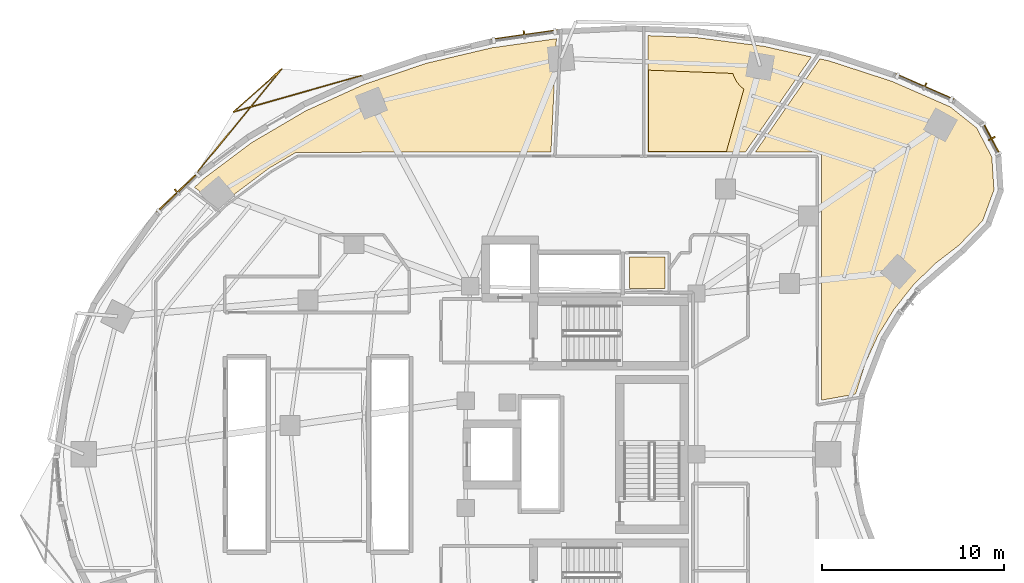
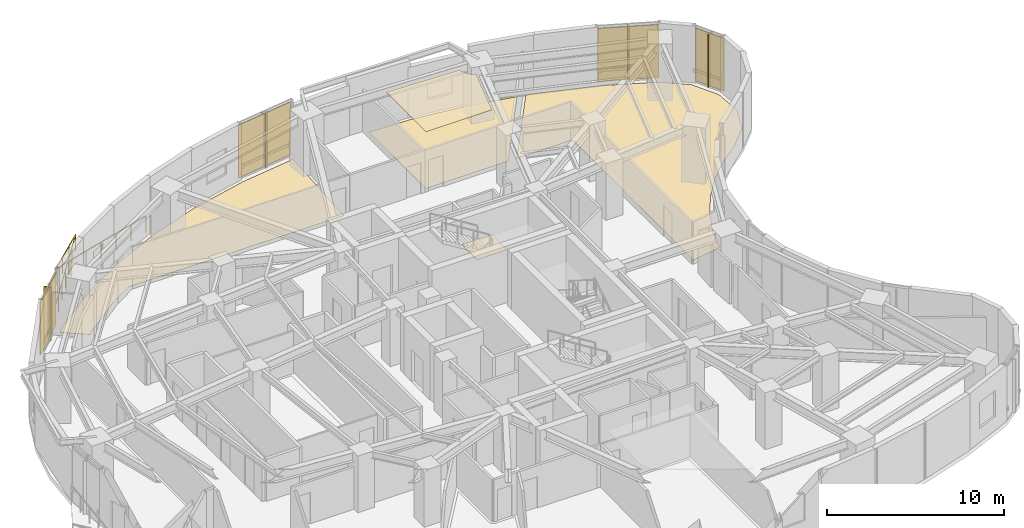
# One storey, part 15 of 15: 8 shading devices, 5 coverings, 1 railing.
"""IFC4 building model written with IfcOpenShell, lengths in metres."""

from ifc_helpers import new_model, si_unit, direction, frame, origin, origin_2d, place, context, subcontext, project, spatial, polyline, rectangle, outline, extrude, material, layer, layer_set, type_object, element, save


model = new_model("IFC4")

# Units and contexts
model_context = context("Model", 3, precision=1e-05, world=origin(), true_north=direction((0.0, 1.0)))
body_context = subcontext(model_context, "Body", "Model", "MODEL_VIEW")
ifc_project = project(units=[si_unit("LENGTHUNIT", "METRE"), si_unit("AREAUNIT", "SQUARE_METRE"), si_unit("VOLUMEUNIT", "CUBIC_METRE"), si_unit("PLANEANGLEUNIT", "RADIAN"), si_unit("MASSUNIT", "GRAM", prefix="KILO")], contexts=[model_context])

# Site, building, storey
site_placement = place(None, origin())
site = spatial("IfcSite", under=ifc_project, at=site_placement, CompositionType="ELEMENT")
building_placement = place(site_placement, origin())
building = spatial("IfcBuilding", under=site, at=building_placement, Name="Korentha Bioscience Tower", CompositionType="ELEMENT")
storey_placement = place(building_placement, frame((0.0, 0.0, 38.39990234375)))
storey = spatial("IfcBuildingStorey", under=building, at=storey_placement, Name="L08", CompositionType="ELEMENT", Elevation=38.39990234375)

# Covering
ifc_material_1 = material(Name="Vitrified Porcelain Tile", Category="ceramic")
ifc_layer_1 = layer(ifc_material_1, 0.014892578125, Name="Vitrified Porcelain Tile")
ifc_layer_set_1 = layer_set([ifc_layer_1], Name="Vitrified Porcelain Tile (FL-CER)")
covering_type_1 = type_object("IfcCoveringType", Name="Anti-Slip Ceramic Wet-Room Tile Flooring 15", PredefinedType="FLOORING", material=ifc_layer_set_1)
covering_1_placement = place(storey_placement, origin())
element("IfcCovering", 1, at=covering_1_placement, inside=storey, type_object=covering_type_1, Name="L08 Accessible Staff WC Floor Finish", PredefinedType="FLOORING", context=body_context, shape_type="SweptSolid", body=[
    extrude(outline(polyline([(33.8701171875, 36.1298828125), (33.8701171875, 37.8701171875), (35.830078125, 37.8701171875), (35.830078125, 36.1298828125), (33.8701171875, 36.1298828125)])), origin(), (0.0, 0.0, 1.0), 0.01513671875),
])

# Railing
ifc_material_2 = material(Name="Laminated Tempered Safety Glass", Category="glass")
railing_type = type_object("IfcRailingType", Name="Laminated Glass Balcony Guardrail 1150", PredefinedType="BALUSTRADE", material=ifc_material_2)
railing_placement = place(storey_placement, frame((19.07080078125, 47.837646484375, 0.0)))
element("IfcRailing", 2, at=railing_placement, inside=storey, type_object=railing_type, Name="L08 Balcony Guardrail 01", PredefinedType="BALUSTRADE", context=body_context, shape_type="SweptSolid", body=[
    extrude(rectangle(XDim=0.048095703125, YDim=0.048095703125, at=origin_2d()), frame((0.0, 0.0, 1.1259765625), z_axis=(-0.961875531966, -0.273487588394, 0.0), x_axis=(0.273487588394, -0.961875531966, 0.0)), (0.0, 0.0, 1.0), 7.268310546875),
    extrude(rectangle(XDim=0.048095703125, YDim=0.048095703125, at=origin_2d()), frame((-6.9912109375, -1.98779296875, 1.1259765625), z_axis=(0.745563634024, 0.666434443603, 0.0), x_axis=(-0.666434443603, 0.745563634024, 0.0)), (0.0, 0.0, 1.0), 3.545166015625),
    extrude(rectangle(XDim=0.048095703125, YDim=0.048095703125, at=origin_2d()), frame((-4.34814453125, 0.374755859375, 1.1259765625), z_axis=(-0.633032881961, -0.774124906172, 0.0), x_axis=(0.774124906172, -0.633032881961, 0.0)), (0.0, 0.0, 1.0), 7.267578125),
    extrude(rectangle(XDim=0.0419921875, YDim=0.0419921875, at=origin_2d()), origin(), (0.0, 0.0, 1.0), 1.101806640625),
    extrude(rectangle(XDim=0.0419921875, YDim=0.0419921875, at=origin_2d()), frame((-1.165283203125, -0.331298828125, 0.0)), (0.0, 0.0, 1.0), 1.101806640625),
    extrude(rectangle(XDim=0.0419921875, YDim=0.0419921875, at=origin_2d()), frame((-2.330322265625, -0.66259765625, 0.0)), (0.0, 0.0, 1.0), 1.101806640625),
    extrude(rectangle(XDim=0.0419921875, YDim=0.0419921875, at=origin_2d()), frame((-3.49560546875, -0.993896484375, 0.0)), (0.0, 0.0, 1.0), 1.101806640625),
    extrude(rectangle(XDim=0.0419921875, YDim=0.0419921875, at=origin_2d()), frame((-4.660888671875, -1.3251953125, 0.0)), (0.0, 0.0, 1.0), 1.101806640625),
    extrude(rectangle(XDim=0.0419921875, YDim=0.0419921875, at=origin_2d()), frame((-5.825927734375, -1.656494140625, 0.0)), (0.0, 0.0, 1.0), 1.101806640625),
    extrude(rectangle(XDim=0.0419921875, YDim=0.0419921875, at=origin_2d()), frame((-6.9912109375, -1.98779296875, 0.0)), (0.0, 0.0, 1.0), 1.101806640625),
    extrude(rectangle(XDim=0.0419921875, YDim=0.0419921875, at=origin_2d()), frame((-6.110107421875, -1.2001953125, 0.0)), (0.0, 0.0, 1.0), 1.101806640625),
    extrude(rectangle(XDim=0.0419921875, YDim=0.0419921875, at=origin_2d()), frame((-5.229248046875, -0.412841796875, 0.0)), (0.0, 0.0, 1.0), 1.101806640625),
    extrude(rectangle(XDim=0.0419921875, YDim=0.0419921875, at=origin_2d()), frame((-4.34814453125, 0.374755859375, 0.0)), (0.0, 0.0, 1.0), 1.101806640625),
    extrude(rectangle(XDim=0.0419921875, YDim=0.0419921875, at=origin_2d()), frame((-5.114990234375, -0.56298828125, 0.0)), (0.0, 0.0, 1.0), 1.101806640625),
    extrude(rectangle(XDim=0.0419921875, YDim=0.0419921875, at=origin_2d()), frame((-5.881591796875, -1.50048828125, 0.0)), (0.0, 0.0, 1.0), 1.101806640625),
    extrude(rectangle(XDim=0.0419921875, YDim=0.0419921875, at=origin_2d()), frame((-6.6484375, -2.438232421875, 0.0)), (0.0, 0.0, 1.0), 1.101806640625),
    extrude(rectangle(XDim=0.0419921875, YDim=0.0419921875, at=origin_2d()), frame((-7.415283203125, -3.3759765625, 0.0)), (0.0, 0.0, 1.0), 1.101806640625),
    extrude(rectangle(XDim=0.0419921875, YDim=0.0419921875, at=origin_2d()), frame((-8.181884765625, -4.3134765625, 0.0)), (0.0, 0.0, 1.0), 1.101806640625),
    extrude(rectangle(XDim=0.0419921875, YDim=0.0419921875, at=origin_2d()), frame((-8.94873046875, -5.251220703125, 0.0)), (0.0, 0.0, 1.0), 1.101806640625),
])

# Covering
ifc_material_3 = material(Name="Antimicrobial Mineral Fibre Board", Category="gypsum")
ifc_layer_2 = layer(ifc_material_3, 0.034912109375, Name="Antimicrobial Mineral Fibre Board")
ifc_layer_set_2 = layer_set([ifc_layer_2], Name="Antimicrobial Mineral Fibre Board (CL-MF35)")
covering_type_2 = type_object("IfcCoveringType", Name="Mineral-Fibre Cleanroom Suspended Ceiling 35", PredefinedType="CEILING", material=ifc_layer_set_2)
covering_2_placement = place(storey_placement, frame((0.0, 0.0, 3.864990234375)))
element("IfcCovering", 3, at=covering_2_placement, inside=storey, type_object=covering_type_2, Name="L08 Incubator and Bioreactor Suite 11 Acoustic Ceiling", PredefinedType="CEILING", context=body_context, shape_type="SweptSolid", body=[
    extrude(outline(polyline([(34.902099609375, 48.146484375), (39.556884765625, 47.965576171875), (39.62060546875, 47.7734375), (39.763671875, 47.505615234375), (39.95654296875, 47.270751953125), (40.15869140625, 47.102294921875), (39.19677734375, 43.66455078125), (34.902099609375, 43.660400390625), (34.902099609375, 48.146484375)])), origin(), (0.0, 0.0, 1.0), 0.03515625),
])

# Shading devices
ifc_material_4 = material(Name="Perforated Stone-Ceramic Composite", Category="masonry")
ifc_layer_3 = layer(ifc_material_4, 0.06494140625, Name="Perforated Stone-Ceramic Composite")
ifc_layer_set_3 = layer_set([ifc_layer_3], Name="Perforated Stone-Ceramic Composite (CS-01)")
shading_device_type_1 = type_object("IfcShadingDeviceType", Name="Perforated Stone-Ceramic Solar Screen Panel 65", PredefinedType="USERDEFINED", material=ifc_layer_set_3)
shading_device_1_placement = place(storey_placement, frame((50.113037109375, 47.231201171875, 0.000244140625), z_axis=(0.0, 0.0, 1.0), x_axis=(-0.91593909057, 0.401317308828, 0.0)))
element("IfcShadingDevice", 4, at=shading_device_1_placement, inside=storey, type_object=shading_device_type_1, Name="CW-L08-01 Perforated Stone-Ceramic Solar Screen", ObjectType="SCREEN", PredefinedType="USERDEFINED", context=body_context, shape_type="SweptSolid", body=[
    extrude(rectangle(XDim=3.492431640625, YDim=0.06494140625, at=origin_2d()), origin(), (0.0, 0.0, 1.0), 3.64990234375),
])
shading_device_2_placement = place(storey_placement, frame((28.072509765625, 50.08251953125, 0.000244140625), z_axis=(0.0, 0.0, 1.0), x_axis=(-0.990167372968, -0.139887717511, 0.0)))
element("IfcShadingDevice", 5, at=shading_device_2_placement, inside=storey, type_object=shading_device_type_1, Name="CW-L08-07 Perforated Stone-Ceramic Solar Screen", ObjectType="SCREEN", PredefinedType="USERDEFINED", context=body_context, shape_type="SweptSolid", body=[
    extrude(rectangle(XDim=3.69091796875, YDim=0.06494140625, at=origin_2d()), origin(), (0.0, 0.0, 1.0), 3.64990234375),
])
shading_device_3_placement = place(storey_placement, frame((8.989990234375, 41.424072265625, 0.000244140625), z_axis=(0.0, 0.0, 1.0), x_axis=(-0.723641761581, -0.690175775361, 0.0)))
element("IfcShadingDevice", 6, at=shading_device_3_placement, inside=storey, type_object=shading_device_type_1, Name="CW-L08-13 Perforated Stone-Ceramic Solar Screen", ObjectType="SCREEN", PredefinedType="USERDEFINED", context=body_context, shape_type="SweptSolid", body=[
    extrude(rectangle(XDim=3.142822265625, YDim=0.06494140625, at=origin_2d()), origin(), (0.0, 0.0, 1.0), 3.64990234375),
])
shading_device_4_placement = place(storey_placement, frame((53.784912109375, 44.375732421875, 0.000244140625), z_axis=(0.0, 0.0, 1.0), x_axis=(-0.463008597697, 0.886353788539, 0.0)))
element("IfcShadingDevice", 7, at=shading_device_4_placement, inside=storey, type_object=shading_device_type_1, Name="CW-L08-61 Perforated Stone-Ceramic Solar Screen", ObjectType="SCREEN", PredefinedType="USERDEFINED", context=body_context, shape_type="SweptSolid", body=[
    extrude(rectangle(XDim=1.927734375, YDim=0.06494140625, at=origin_2d()), origin(), (0.0, 0.0, 1.0), 3.64990234375),
])

# Coverings
ifc_material_5 = material(Name="Chemical-Resistant Epoxy Resin", Category="polymer")
ifc_layer_4 = layer(ifc_material_5, 0.011962890625, Name="Chemical-Resistant Epoxy Resin")
ifc_layer_set_4 = layer_set([ifc_layer_4], Name="Chemical-Resistant Epoxy Resin (FL-EPX)")
covering_type_3 = type_object("IfcCoveringType", Name="Seamless Epoxy Laboratory Flooring 12", PredefinedType="FLOORING", material=ifc_layer_set_4)
covering_3_placement = place(storey_placement, origin())
element("IfcCovering", 8, at=covering_3_placement, inside=storey, type_object=covering_type_3, Name="L08 Airlock Gowning Anteroom 09 Floor Finish", PredefinedType="FLOORING", context=body_context, shape_type="SweptSolid", body=[
    extrude(outline(polyline([(44.857177734375, 48.65283203125), (48.31005859375, 47.52978515625), (51.5166015625, 46.125), (52.96630859375, 44.970458984375), (53.805419921875, 43.364501953125), (53.922607421875, 41.556396484375), (53.297607421875, 39.855712890625), (51.98876953125, 38.503173828125), (50.68212890625, 37.497314453125), (49.501708984375, 36.337646484375), (48.412353515625, 34.969482421875), (47.544189453125, 33.552490234375), (46.8427734375, 32.01904296875), (46.30908203125, 30.318115234375), (44.429931640625, 29.982666015625), (44.423095703125, 43.456298828125), (44.385009765625, 43.53662109375), (44.33740234375, 43.58447265625), (44.210693359375, 43.629638671875), (40.783447265625, 43.6298828125), (44.347900390625, 48.766845703125), (44.857177734375, 48.65283203125)])), origin(), (0.0, 0.0, 1.0), 0.01220703125),
])
covering_4_placement = place(storey_placement, origin())
element("IfcCovering", 9, at=covering_4_placement, inside=storey, type_object=covering_type_3, Name="L08 Incubator and Bioreactor Suite 11 Floor Finish", PredefinedType="FLOORING", context=body_context, shape_type="SweptSolid", body=[
    extrude(outline(polyline([(43.873779296875, 48.872802734375), (40.23974609375, 43.635498046875), (34.8720703125, 43.630126953125), (34.8720703125, 50.04541015625), (37.526611328125, 49.942138671875), (41.2451171875, 49.461181640625), (43.873779296875, 48.872802734375)])), origin(), (0.0, 0.0, 1.0), 0.01220703125),
])
covering_5_placement = place(storey_placement, origin())
element("IfcCovering", 10, at=covering_5_placement, inside=storey, type_object=covering_type_3, Name="L08 Biostatistics Research Office 13 Floor Finish", PredefinedType="FLOORING", context=body_context, shape_type="SweptSolid", body=[
    extrude(outline(polyline([(10.451904296875, 42.1962890625), (13.09619140625, 44.173828125), (16.0458984375, 45.90478515625), (19.25830078125, 47.36279296875), (22.68701171875, 48.525390625), (26.28173828125, 49.375), (29.84130859375, 49.8779296875), (29.5419921875, 43.630615234375), (15.5537109375, 43.626953125), (15.474365234375, 43.598388671875), (14.0380859375, 42.7548828125), (11.5625, 40.904052734375), (11.297607421875, 40.653564453125), (9.924072265625, 41.69287109375), (10.451904296875, 42.1962890625)])), origin(), (0.0, 0.0, 1.0), 0.01220703125),
])

# Shading devices
ifc_material_6 = material(Name="Honed Travertine Limestone", Category="masonry")
ifc_layer_5 = layer(ifc_material_6, 0.080078125, Name="Honed Travertine Limestone")
ifc_layer_set_5 = layer_set([ifc_layer_5], Name="Honed Travertine Limestone (CS-02)")
shading_device_type_2 = type_object("IfcShadingDeviceType", Name="Vertical Honed Limestone Sunshade Fin 80x420", PredefinedType="USERDEFINED", material=ifc_layer_set_5)
for number, where, z_axis, x_axis, name in (
    (11, (50.12109375, 47.24951171875, 0.000244140625), (0.0, 0.0, 1.0), (-0.91593909057, 0.401317308828, 0.0), "CW-L08-01 Limestone Sunshade Fin"),
    (12, (28.06982421875, 50.102294921875, 0.000244140625), (0.0, 0.0, 1.0), (-0.990167372968, -0.139887717511, 0.0), "CW-L08-07 Limestone Sunshade Fin"),
    (13, (8.976318359375, 41.4384765625, 0.000244140625), (0.0, 0.0, 1.0), (-0.723641761581, -0.690175775361, 0.0), "CW-L08-13 Limestone Sunshade Fin"),
    (14, (53.802490234375, 44.385009765625, 0.000244140625), (0.0, 0.0, 1.0), (-0.463008597697, 0.886353788539, 0.0), "CW-L08-61 Limestone Sunshade Fin"),
):
    element("IfcShadingDevice", number, at=place(storey_placement, frame(where, z_axis=z_axis, x_axis=x_axis)), inside=storey, type_object=shading_device_type_2, Name=name, ObjectType="SCREEN", PredefinedType="USERDEFINED", context=body_context, shape_type="SweptSolid", body=[
        extrude(rectangle(XDim=0.080078125, YDim=0.419921875, at=origin_2d()), origin(), (0.0, 0.0, 1.0), 3.64990234375),
    ])

save(model, "model.ifc")
